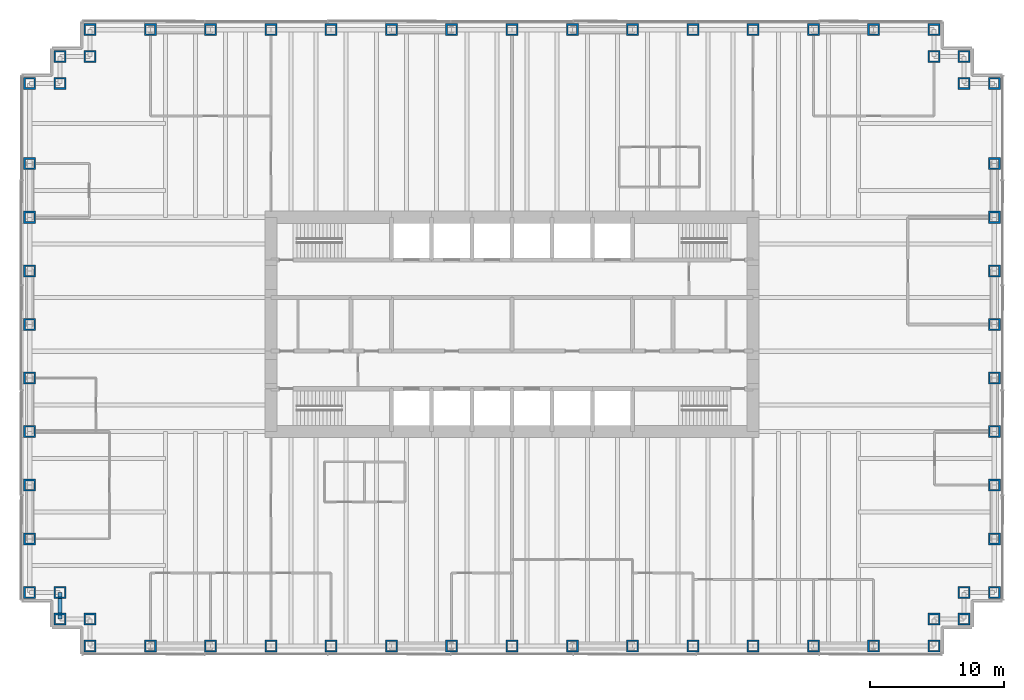
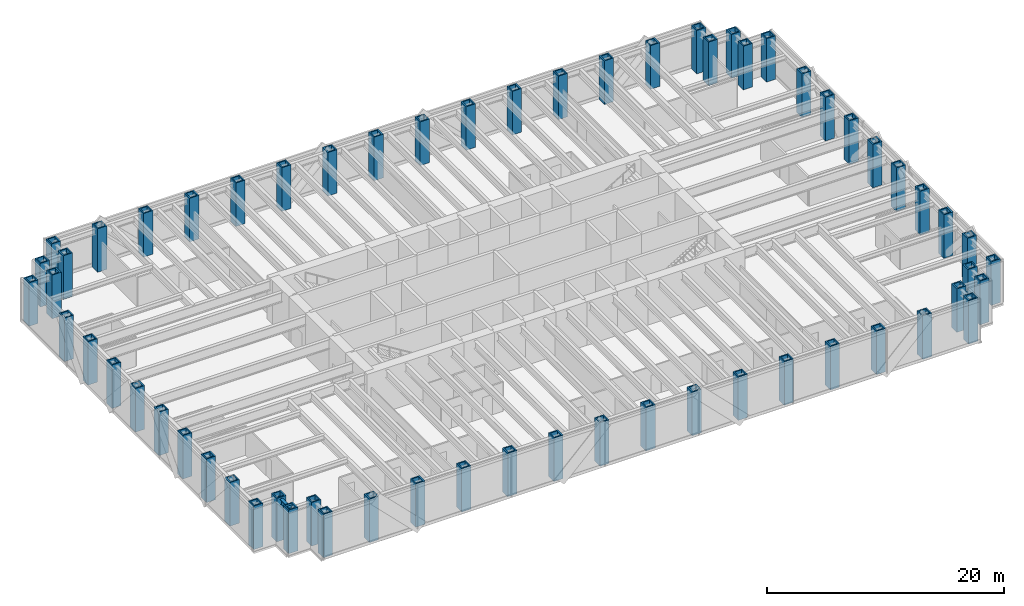
# One storey, part 1 of 13: 62 columns, 1 beam.
"""IFC4 building model written with IfcOpenShell, lengths in metres."""

from ifc_helpers import new_model, si_unit, direction, frame, origin, origin_2d, place, context, subcontext, project, spatial, hollow_rectangle, i_section, extrude, material, material_profile, profile_set, type_object, element, save


model = new_model("IFC4")

# Units and contexts
model_context = context("Model", 3, precision=1e-05, world=origin(), true_north=direction((0.0, 1.0)))
body_context = subcontext(model_context, "Body", "Model", "MODEL_VIEW")
ifc_project = project(units=[si_unit("LENGTHUNIT", "METRE"), si_unit("AREAUNIT", "SQUARE_METRE"), si_unit("VOLUMEUNIT", "CUBIC_METRE"), si_unit("PLANEANGLEUNIT", "RADIAN"), si_unit("MASSUNIT", "GRAM", prefix="KILO")], contexts=[model_context])

# Site, building, storey
site_placement = place(None, origin())
site = spatial("IfcSite", under=ifc_project, at=site_placement, CompositionType="ELEMENT")
building_placement = place(site_placement, origin())
building = spatial("IfcBuilding", under=site, at=building_placement, Name="Rheinbord Bourse Tower", CompositionType="ELEMENT")
storey_placement = place(building_placement, frame((0.0, 0.0, 54.5)))
storey = spatial("IfcBuildingStorey", under=building, at=storey_placement, Name="L11", CompositionType="ELEMENT", Elevation=54.5)

# Columns
ifc_material_1 = material(Name="Steel S460M", Category="steel")
ifc_material_profile_1 = material_profile(ifc_material_1, hollow_rectangle(XDim=0.89990234375, YDim=0.89990234375, WallThickness=0.1201171875, at=origin_2d()), Name="BOX 900x900x120")
ifc_profile_set_1 = profile_set([ifc_material_profile_1], Name="Steel S460M")
column_type = type_object("IfcColumnType", Name="TUBE COLUMN BOX 900x900x120", PredefinedType="COLUMN", material=ifc_profile_set_1)
for number, where, z_axis, x_axis, name in (
    (1, (4.5, 0.0, 0.0), (0.0, 0.0, 1.0), (0.0, 1.0, 0.0), "Column SW-E L11"),
    (2, (9.0, 0.0, 0.0), (0.0, 0.0, 1.0), (0.0, 1.0, 0.0), "Column S-9 L11"),
    (3, (13.5, 0.0, 0.0), (0.0, 0.0, 1.0), (0.0, 1.0, 0.0), "Column S-13.5 L11"),
    (4, (18.0, 0.0, 0.0), (0.0, 0.0, 1.0), (0.0, 1.0, 0.0), "Column S-18 L11"),
    (5, (22.5, 0.0, 0.0), (0.0, 0.0, 1.0), (0.0, 1.0, 0.0), "Column S-22.5 L11"),
    (6, (27.0, 0.0, 0.0), (0.0, 0.0, 1.0), (0.0, 1.0, 0.0), "Column S-27 L11"),
    (7, (31.5, 0.0, 0.0), (0.0, 0.0, 1.0), (0.0, 1.0, 0.0), "Column S-31.5 L11"),
    (8, (36.0, 0.0, 0.0), (0.0, 0.0, 1.0), (0.0, 1.0, 0.0), "Column S-36 L11"),
    (9, (40.5, 0.0, 0.0), (0.0, 0.0, 1.0), (0.0, 1.0, 0.0), "Column S-40.5 L11"),
    (10, (45.0, 0.0, 0.0), (0.0, 0.0, 1.0), (0.0, 1.0, 0.0), "Column S-45 L11"),
    (11, (49.5, 0.0, 0.0), (0.0, 0.0, 1.0), (0.0, 1.0, 0.0), "Column S-49.5 L11"),
    (12, (54.0, 0.0, 0.0), (0.0, 0.0, 1.0), (0.0, 1.0, 0.0), "Column S-54 L11"),
    (13, (58.5, 0.0, 0.0), (0.0, 0.0, 1.0), (0.0, 1.0, 0.0), "Column S-58.5 L11"),
    (14, (63.0, 0.0, 0.0), (0.0, 0.0, 1.0), (0.0, 1.0, 0.0), "Column S-63 L11"),
    (15, (67.5, 0.0, 0.0), (0.0, 0.0, 1.0), (0.0, 1.0, 0.0), "Column SE-E L11"),
    (16, (67.5, 2.0, 0.0), (0.0, 0.0, 1.0), (0.0, 1.0, 0.0), "Column SE-D L11"),
    (17, (69.75, 2.0, 0.0), (0.0, 0.0, 1.0), (1.0, 0.0, 0.0), "Column SE-C L11"),
    (18, (69.75, 4.0, 0.0), (0.0, 0.0, 1.0), (1.0, 0.0, 0.0), "Column SE-B L11"),
    (19, (72.0, 4.0, 0.0), (0.0, 0.0, 1.0), (1.0, 0.0, 0.0), "Column SE-A L11"),
    (20, (72.0, 8.0, 0.0), (0.0, 0.0, 1.0), (1.0, 0.0, 0.0), "Column E-8 L11"),
    (21, (72.0, 12.0, 0.0), (0.0, 0.0, 1.0), (1.0, 0.0, 0.0), "Column E-12 L11"),
    (22, (72.0, 16.0, 0.0), (0.0, 0.0, 1.0), (1.0, 0.0, 0.0), "Column E-16 L11"),
    (23, (72.0, 20.0, 0.0), (0.0, 0.0, 1.0), (1.0, 0.0, 0.0), "Column E-20 L11"),
    (24, (72.0, 24.0, 0.0), (0.0, 0.0, 1.0), (1.0, 0.0, 0.0), "Column E-24 L11"),
    (25, (72.0, 28.0, 0.0), (0.0, 0.0, 1.0), (1.0, 0.0, 0.0), "Column E-28 L11"),
    (26, (72.0, 32.0, 0.0), (0.0, 0.0, 1.0), (1.0, 0.0, 0.0), "Column E-32 L11"),
    (27, (72.0, 36.0, 0.0), (0.0, 0.0, 1.0), (1.0, 0.0, 0.0), "Column E-36 L11"),
    (28, (72.0, 42.0, 0.0), (0.0, 0.0, 1.0), (1.0, 0.0, 0.0), "Column NE-A L11"),
    (29, (69.75, 42.0, 0.0), (0.0, 0.0, 1.0), (1.0, 0.0, 0.0), "Column NE-B L11"),
    (30, (69.75, 44.0, 0.0), (0.0, 0.0, 1.0), (1.0, 0.0, 0.0), "Column NE-C L11"),
    (31, (67.5, 44.0, 0.0), (0.0, 0.0, 1.0), (0.0, 1.0, 0.0), "Column NE-D L11"),
    (32, (67.5, 46.0, 0.0), (0.0, 0.0, 1.0), (0.0, 1.0, 0.0), "Column NE-E L11"),
    (33, (63.0, 46.0, 0.0), (0.0, 0.0, 1.0), (0.0, 1.0, 0.0), "Column N-63 L11"),
    (34, (58.5, 46.0, 0.0), (0.0, 0.0, 1.0), (0.0, 1.0, 0.0), "Column N-58.5 L11"),
    (35, (54.0, 46.0, 0.0), (0.0, 0.0, 1.0), (0.0, 1.0, 0.0), "Column N-54 L11"),
    (36, (49.5, 46.0, 0.0), (0.0, 0.0, 1.0), (0.0, 1.0, 0.0), "Column N-49.5 L11"),
    (37, (45.0, 46.0, 0.0), (0.0, 0.0, 1.0), (0.0, 1.0, 0.0), "Column N-45 L11"),
    (38, (40.5, 46.0, 0.0), (0.0, 0.0, 1.0), (0.0, 1.0, 0.0), "Column N-40.5 L11"),
    (39, (36.0, 46.0, 0.0), (0.0, 0.0, 1.0), (0.0, 1.0, 0.0), "Column N-36 L11"),
    (40, (31.5, 46.0, 0.0), (0.0, 0.0, 1.0), (0.0, 1.0, 0.0), "Column N-31.5 L11"),
    (41, (27.0, 46.0, 0.0), (0.0, 0.0, 1.0), (0.0, 1.0, 0.0), "Column N-27 L11"),
    (42, (22.5, 46.0, 0.0), (0.0, 0.0, 1.0), (0.0, 1.0, 0.0), "Column N-22.5 L11"),
    (43, (18.0, 46.0, 0.0), (0.0, 0.0, 1.0), (0.0, 1.0, 0.0), "Column N-18 L11"),
    (44, (13.5, 46.0, 0.0), (0.0, 0.0, 1.0), (0.0, 1.0, 0.0), "Column N-13.5 L11"),
    (45, (9.0, 46.0, 0.0), (0.0, 0.0, 1.0), (0.0, 1.0, 0.0), "Column N-9 L11"),
    (46, (4.5, 46.0, 0.0), (0.0, 0.0, 1.0), (0.0, 1.0, 0.0), "Column NW-E L11"),
    (47, (4.5, 44.0, 0.0), (0.0, 0.0, 1.0), (0.0, 1.0, 0.0), "Column NW-D L11"),
    (48, (2.25, 44.0, 0.0), (0.0, 0.0, 1.0), (1.0, 0.0, 0.0), "Column NW-C L11"),
    (49, (2.25, 42.0, 0.0), (0.0, 0.0, 1.0), (1.0, 0.0, 0.0), "Column NW-B L11"),
    (50, (0.0, 42.0, 0.0), (0.0, 0.0, 1.0), (1.0, 0.0, 0.0), "Column NW-A L11"),
    (51, (0.0, 36.0, 0.0), (0.0, 0.0, 1.0), (1.0, 0.0, 0.0), "Column W-36 L11"),
    (52, (0.0, 32.0, 0.0), (0.0, 0.0, 1.0), (1.0, 0.0, 0.0), "Column W-32 L11"),
    (53, (0.0, 28.0, 0.0), (0.0, 0.0, 1.0), (1.0, 0.0, 0.0), "Column W-28 L11"),
    (54, (0.0, 24.0, 0.0), (0.0, 0.0, 1.0), (1.0, 0.0, 0.0), "Column W-24 L11"),
    (55, (0.0, 20.0, 0.0), (0.0, 0.0, 1.0), (1.0, 0.0, 0.0), "Column W-20 L11"),
    (56, (0.0, 16.0, 0.0), (0.0, 0.0, 1.0), (1.0, 0.0, 0.0), "Column W-16 L11"),
    (57, (0.0, 12.0, 0.0), (0.0, 0.0, 1.0), (1.0, 0.0, 0.0), "Column W-12 L11"),
    (58, (0.0, 8.0, 0.0), (0.0, 0.0, 1.0), (1.0, 0.0, 0.0), "Column W-8 L11"),
    (59, (0.0, 4.0, 0.0), (0.0, 0.0, 1.0), (1.0, 0.0, 0.0), "Column SW-A L11"),
    (60, (2.25, 4.0, 0.0), (0.0, 0.0, 1.0), (1.0, 0.0, 0.0), "Column SW-B L11"),
    (61, (2.25, 2.0, 0.0), (0.0, 0.0, 1.0), (1.0, 0.0, 0.0), "Column SW-C L11"),
    (62, (4.5, 2.0, 0.0), (0.0, 0.0, 1.0), (0.0, 1.0, 0.0), "Column SW-D L11"),
):
    element("IfcColumn", number, at=place(storey_placement, frame(where, z_axis=z_axis, x_axis=x_axis)), inside=storey, type_object=column_type, Name=name, PredefinedType="COLUMN", context=body_context, shape_type="SweptSolid", body=[
        extrude(hollow_rectangle(XDim=0.89990234375, YDim=0.89990234375, WallThickness=0.1201171875, at=origin_2d()), origin(), (0.0, 0.0, 1.0), 4.5),
    ])

# Beam
ifc_material_2 = material(Name="Steel S460", Category="steel")
ifc_material_profile_2 = material_profile(ifc_material_2, i_section(OverallWidth=0.304931640625, OverallDepth=0.6201171875, WebThickness=0.02099609375, FlangeThickness=0.0400390625, at=origin_2d()), Name="HEM 600")
ifc_profile_set_2 = profile_set([ifc_material_profile_2], Name="Steel S460")
beam_type = type_object("IfcBeamType", Name="SPANDREL HEM 600", PredefinedType="SPANDREL", material=ifc_profile_set_2)
beam_placement = place(storey_placement, frame((2.25, 4.0, 4.010009765625), z_axis=(0.0, -1.0, 0.0), x_axis=(1.0, 0.0, 0.0)))
element("IfcBeam", 63, at=beam_placement, inside=storey, type_object=beam_type, Name="Spandrel SW-B-SW-C under L12", PredefinedType="SPANDREL", context=body_context, shape_type="SweptSolid", body=[
    extrude(i_section(OverallWidth=0.304931640625, OverallDepth=0.6201171875, WebThickness=0.02099609375, FlangeThickness=0.0400390625, at=origin_2d()), origin(), (0.0, 0.0, 1.0), 2.0),
])

save(model, "model.ifc")
